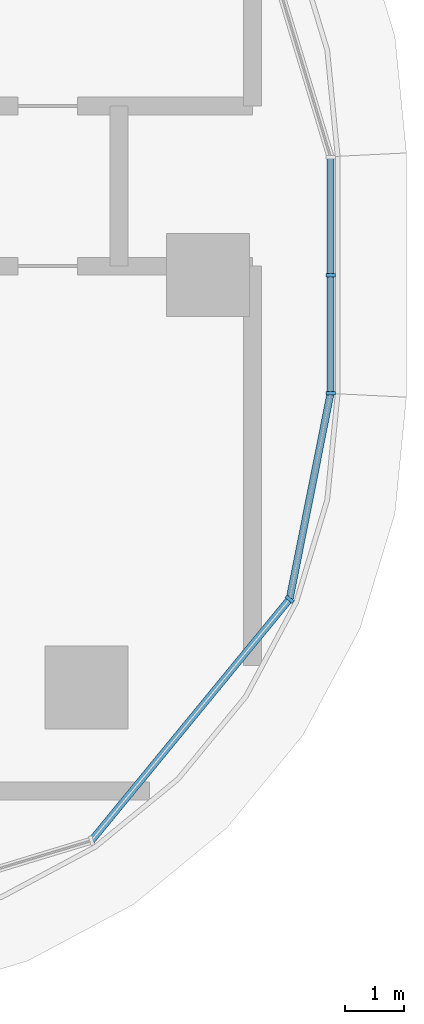
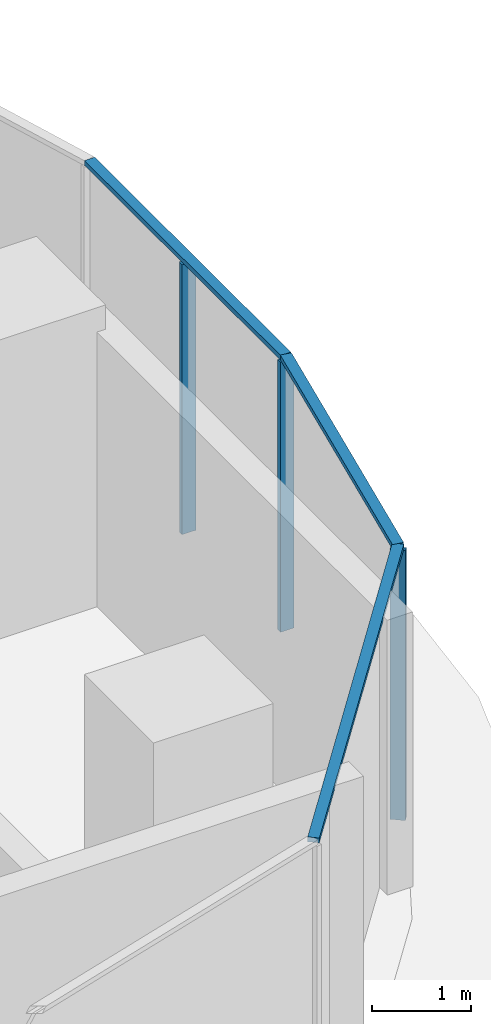
# One storey, part 8 of 36: 6 members, 2 elements without a shape of their own.
"""IFC4 building model written with IfcOpenShell, lengths in metres."""

from ifc_helpers import new_model, si_unit, direction, frame, origin, origin_2d, place, context, subcontext, project, spatial, rectangle, extrude, material, material_profile, profile_set, type_object, element, aggregate, save


model = new_model("IFC4")

# Units and contexts
model_context = context("Model", 3, precision=1e-05, world=origin(), true_north=direction((0.0, 1.0)))
body_context = subcontext(model_context, "Body", "Model", "MODEL_VIEW")
ifc_project = project(units=[si_unit("LENGTHUNIT", "METRE"), si_unit("AREAUNIT", "SQUARE_METRE"), si_unit("VOLUMEUNIT", "CUBIC_METRE"), si_unit("PLANEANGLEUNIT", "RADIAN"), si_unit("MASSUNIT", "GRAM", prefix="KILO")], contexts=[model_context])

# Site, building, storey
site_placement = place(None, origin())
site = spatial("IfcSite", under=ifc_project, at=site_placement, CompositionType="ELEMENT")
building_placement = place(site_placement, origin())
building = spatial("IfcBuilding", under=site, at=building_placement, Name="Ogive Portal Towers", CompositionType="ELEMENT")
storey_placement = place(building_placement, frame((0.0, 0.0, 52.0)))
storey = spatial("IfcBuildingStorey", under=building, at=storey_placement, Name="L11", CompositionType="ELEMENT", Elevation=52.0)

# Curtain wall, members
ifc_material_1 = material(Name="Glass, clear low-iron insulated glazing", Category="glass")
curtain_wall_type = type_object("IfcCurtainWallType", Name="CW FRONT RIBBON 4500", PredefinedType="NOTDEFINED", material=ifc_material_1)
curtain_wall_1_placement = place(storey_placement, origin())
curtain_wall_1 = element("IfcCurtainWall", 1, at=curtain_wall_1_placement, inside=storey, type_object=curtain_wall_type, Name="A:L11:f12:cw0", PredefinedType="NOTDEFINED")
ifc_material_2 = material(Name="Aluminium 6063 anodised", Category="aluminium")
ifc_material_profile_1 = material_profile(ifc_material_2, rectangle(XDim=0.159912109375, YDim=0.06005859375, at=origin_2d()), Name="AL 60x160")
ifc_profile_set_1 = profile_set([ifc_material_profile_1], Name="Aluminium 6063 anodised")
member_type_1 = type_object("IfcMemberType", Name="CW MULLION 60x160", PredefinedType="MULLION", material=ifc_profile_set_1)
member_1_placement = place(storey_placement, frame((96.56494140625, 28.5078125, 0.0), z_axis=(0.0, 0.0, 1.0), x_axis=(-1.0, 0.0, 0.0)))
member_1 = element("IfcMember", 2, at=member_1_placement, type_object=member_type_1, Name="mullion", PredefinedType="MULLION", context=body_context, shape_type="SweptSolid", body=[
    extrude(rectangle(XDim=0.159912109375, YDim=0.06005859375, at=origin_2d()), origin(), (0.0, 0.0, 1.0), 3.340087890625),
])
member_2_placement = place(storey_placement, frame((96.56494140625, 30.5, 0.0), z_axis=(0.0, 0.0, 1.0), x_axis=(-1.0, 0.0, 0.0)))
member_2 = element("IfcMember", 3, at=member_2_placement, type_object=member_type_1, Name="mullion", PredefinedType="MULLION", context=body_context, shape_type="SweptSolid", body=[
    extrude(rectangle(XDim=0.159912109375, YDim=0.06005859375, at=origin_2d()), origin(), (0.0, 0.0, 1.0), 3.340087890625),
])

# Curtain wall, member
curtain_wall_2_placement = place(storey_placement, origin())
curtain_wall_2 = element("IfcCurtainWall", 4, at=curtain_wall_2_placement, inside=storey, type_object=curtain_wall_type, Name="A:L11:f09:cwa", PredefinedType="NOTDEFINED")
member_3_placement = place(storey_placement, frame((95.874267578125, 25.03564453125, 0.0), z_axis=(0.0, 0.0, 1.0), x_axis=(-0.773010453363, 0.634393284164, 0.0)))
member_3 = element("IfcMember", 5, at=member_3_placement, type_object=member_type_1, Name="mullion", PredefinedType="MULLION", context=body_context, shape_type="SweptSolid", body=[
    extrude(rectangle(XDim=0.159912109375, YDim=0.06005859375, at=origin_2d()), origin(), (0.0, 0.0, 1.0), 3.340087890625),
])

# Member
ifc_material_profile_2 = material_profile(ifc_material_2, rectangle(XDim=0.1201171875, YDim=0.06005859375, at=origin_2d()), Name="AL 120x60")
ifc_profile_set_2 = profile_set([ifc_material_profile_2], Name="Aluminium 6063 anodised")
member_type_2 = type_object("IfcMemberType", Name="CW TRANSOM 60x120", PredefinedType="USERDEFINED", material=ifc_profile_set_2)
member_4_placement = place(storey_placement, frame((96.56494140625, 28.5078125, 3.3701171875), z_axis=(0.0, 1.0, 0.0), x_axis=(-1.0, 0.0, 0.0)))
member_4 = element("IfcMember", 6, at=member_4_placement, type_object=member_type_2, Name="transom", ObjectType="TRANSOM", PredefinedType="USERDEFINED", context=body_context, shape_type="SweptSolid", body=[
    extrude(rectangle(XDim=0.1201171875, YDim=0.06005859375, at=origin_2d()), origin(), (0.0, 0.0, 1.0), 3.980224609375),
])

aggregate(curtain_wall_1, [member_4, member_1, member_2])

member_5_placement = place(storey_placement, frame((92.5341796875, 20.9658203125, 3.3701171875), z_axis=(0.634401168845, 0.773003982505, 0.0), x_axis=(-0.773003982505, 0.634401168845, 0.0)))
member_5 = element("IfcMember", 7, at=member_5_placement, type_object=member_type_2, Name="transom", ObjectType="TRANSOM", PredefinedType="USERDEFINED", context=body_context, shape_type="SweptSolid", body=[
    extrude(rectangle(XDim=0.1201171875, YDim=0.06005859375, at=origin_2d()), origin(), (0.0, 0.0, 1.0), 5.264892578125),
])

member_6_placement = place(storey_placement, frame((95.874267578125, 25.03564453125, 3.3701171875), z_axis=(0.195094853621, 0.980784379, 0.0), x_axis=(-0.980784379, 0.195094853621, 0.0)))
member_6 = element("IfcMember", 8, at=member_6_placement, type_object=member_type_2, Name="transom", ObjectType="TRANSOM", PredefinedType="USERDEFINED", context=body_context, shape_type="SweptSolid", body=[
    extrude(rectangle(XDim=0.1201171875, YDim=0.06005859375, at=origin_2d()), origin(), (0.0, 0.0, 1.0), 3.540283203125),
])

aggregate(curtain_wall_2, [member_5, member_6, member_3])

save(model, "model.ifc")
